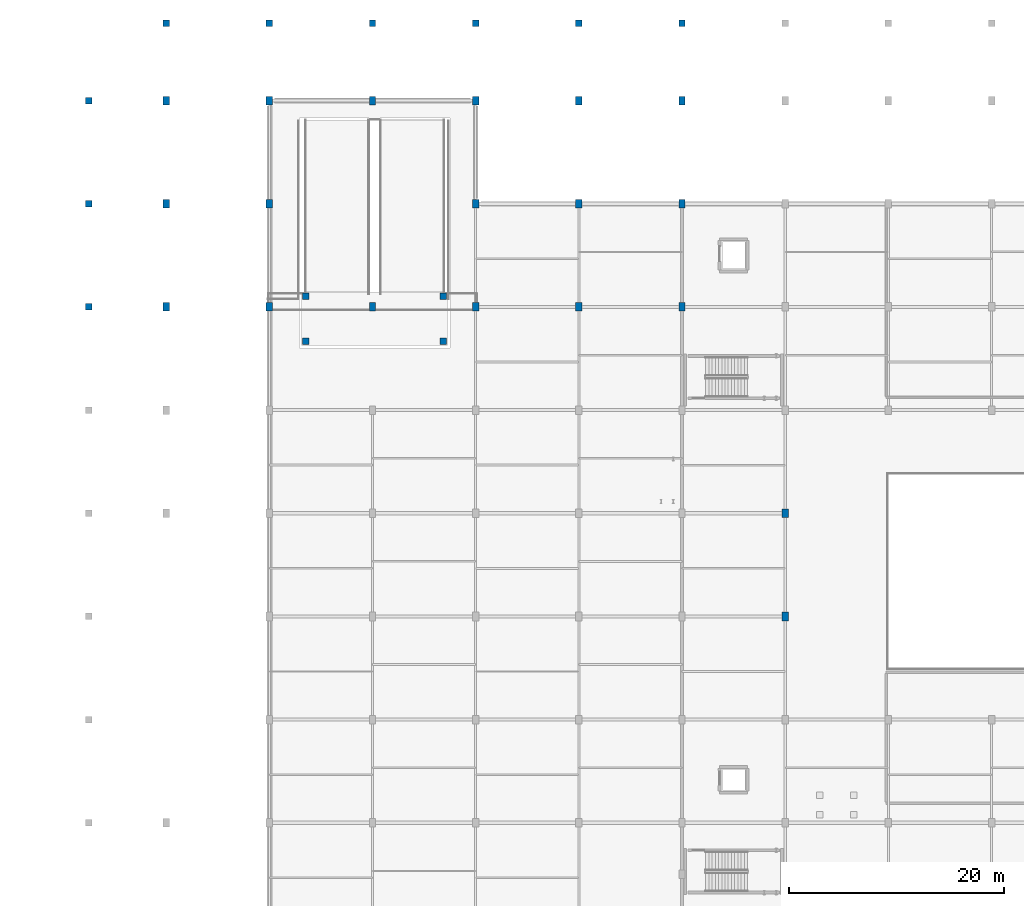
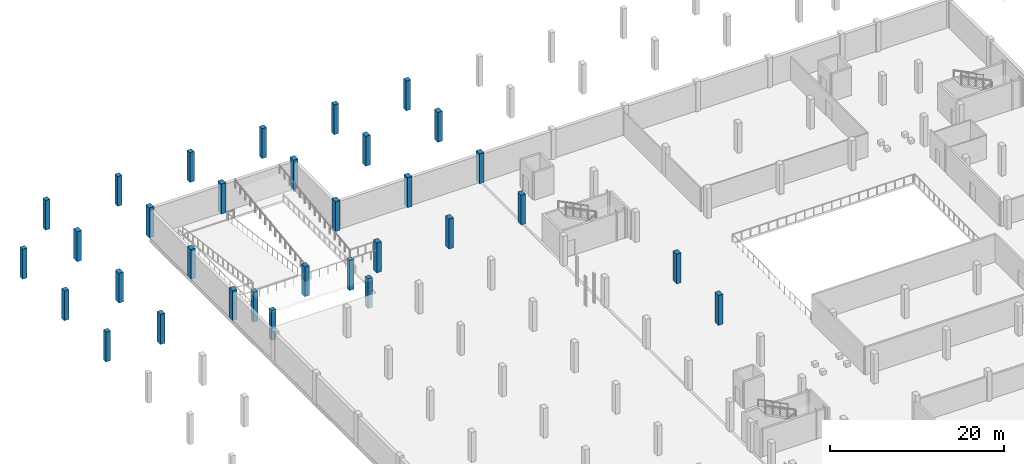
# One storey, part 12 of 47: 32 columns.
"""IFC4 building model written with IfcOpenShell, lengths in metres."""

from ifc_helpers import new_model, si_unit, direction, frame, origin, origin_2d, place, context, subcontext, project, spatial, rectangle, extrude, material, material_profile, profile_set, type_object, element, save


model = new_model("IFC4")

# Units and contexts
model_context = context("Model", 3, precision=1e-05, world=origin(), true_north=direction((0.0, 1.0)))
body_context = subcontext(model_context, "Body", "Model", "MODEL_VIEW")
ifc_project = project(units=[si_unit("LENGTHUNIT", "METRE"), si_unit("AREAUNIT", "SQUARE_METRE"), si_unit("VOLUMEUNIT", "CUBIC_METRE"), si_unit("PLANEANGLEUNIT", "RADIAN"), si_unit("MASSUNIT", "GRAM", prefix="KILO")], contexts=[model_context])

# Site, building, storey
site_placement = place(None, origin())
site = spatial("IfcSite", under=ifc_project, at=site_placement, CompositionType="ELEMENT")
building_placement = place(site_placement, origin())
building = spatial("IfcBuilding", under=site, at=building_placement, Name="Zevrakil Square Congress Hotel", CompositionType="ELEMENT")
storey_placement = place(building_placement, frame((0.0, 0.0, -4.199951171875)))
storey = spatial("IfcBuildingStorey", under=building, at=storey_placement, Name="B1", CompositionType="ELEMENT", Elevation=-4.199951171875)

# Columns
ifc_material_1 = material(Name="Concrete C40/50", Category="concrete")
ifc_material_profile_1 = material_profile(ifc_material_1, rectangle(XDim=0.60009765625, YDim=0.60009765625, at=origin_2d()), Name="RC 600x600")
ifc_profile_set_1 = profile_set([ifc_material_profile_1], Name="Concrete C40/50")
column_type_1 = type_object("IfcColumnType", Name="COL-RC600", PredefinedType="COLUMN", material=ifc_profile_set_1)
for number, where, z_axis, x_axis, name in (
    (1, (0.0, 93.60009765625, 0.0), (0.0, 0.0, 1.0), (1.0, 0.0, 0.0), "B1 column C-011"),
    (2, (0.0, 103.199951171875, 0.0), (0.0, 0.0, 1.0), (1.0, 0.0, 0.0), "B1 column C-012"),
    (3, (0.0, 112.800048828125, 0.0), (0.0, 0.0, 1.0), (1.0, 0.0, 0.0), "B1 column C-013"),
    (4, (7.199951171875, 120.0, 0.0), (0.0, 0.0, 1.0), (1.0, 0.0, 0.0), "B1 column C-025"),
    (5, (16.800048828125, 120.0, 0.0), (0.0, 0.0, 1.0), (1.0, 0.0, 0.0), "B1 column C-039"),
    (6, (26.39990234375, 120.0, 0.0), (0.0, 0.0, 1.0), (1.0, 0.0, 0.0), "B1 column C-052"),
    (7, (36.0, 120.0, 0.0), (0.0, 0.0, 1.0), (1.0, 0.0, 0.0), "B1 column C-066"),
    (8, (45.60009765625, 120.0, 0.0), (0.0, 0.0, 1.0), (1.0, 0.0, 0.0), "B1 column C-080"),
    (9, (55.199951171875, 120.0, 0.0), (0.0, 0.0, 1.0), (1.0, 0.0, 0.0), "B1 column C-098"),
    (10, (20.199951171875, 90.39990234375, -2.10009765625), (0.0, 0.0, 1.0), (1.0, 0.0, 0.0), "B1 vehicle ramp landing support column VRC-1"),
    (11, (33.0, 90.39990234375, -2.10009765625), (0.0, 0.0, 1.0), (1.0, 0.0, 0.0), "B1 vehicle ramp landing support column VRC-2"),
    (12, (20.199951171875, 94.60009765625, -2.10009765625), (0.0, 0.0, 1.0), (1.0, 0.0, 0.0), "B1 vehicle ramp landing support column VRC-3"),
    (13, (33.0, 94.60009765625, -2.10009765625), (0.0, 0.0, 1.0), (1.0, 0.0, 0.0), "B1 vehicle ramp landing support column VRC-4"),
):
    element("IfcColumn", number, at=place(storey_placement, frame(where, z_axis=z_axis, x_axis=x_axis)), inside=storey, type_object=column_type_1, Name=name, PredefinedType="COLUMN", context=body_context, shape_type="SweptSolid", body=[
        extrude(rectangle(XDim=0.60009765625, YDim=0.60009765625, at=origin_2d()), origin(), (0.0, 0.0, 1.0), 4.199951171875),
    ])
ifc_material_2 = material(Name="Concrete C40/50", Category="concrete")
ifc_material_profile_2 = material_profile(ifc_material_2, rectangle(XDim=0.60009765625, YDim=0.800048828125, at=origin_2d()), Name="RC 600x800")
ifc_profile_set_2 = profile_set([ifc_material_profile_2], Name="Concrete C40/50")
column_type_2 = type_object("IfcColumnType", Name="COL-RC600x800", PredefinedType="COLUMN", material=ifc_profile_set_2)
for number, where, z_axis, x_axis, name in (
    (14, (7.199951171875, 93.60009765625, 0.0), (0.0, 0.0, 1.0), (1.0, 0.0, 0.0), "B1 column C-022"),
    (15, (7.199951171875, 103.199951171875, 0.0), (0.0, 0.0, 1.0), (1.0, 0.0, 0.0), "B1 column C-023"),
    (16, (7.199951171875, 112.800048828125, 0.0), (0.0, 0.0, 1.0), (1.0, 0.0, 0.0), "B1 column C-024"),
    (17, (16.800048828125, 93.60009765625, 0.0), (0.0, 0.0, 1.0), (1.0, 0.0, 0.0), "B1 column C-036"),
    (18, (16.800048828125, 103.199951171875, 0.0), (0.0, 0.0, 1.0), (1.0, 0.0, 0.0), "B1 column C-037"),
    (19, (16.800048828125, 112.800048828125, 0.0), (0.0, 0.0, 1.0), (1.0, 0.0, 0.0), "B1 column C-038"),
    (20, (26.39990234375, 93.60009765625, 0.0), (0.0, 0.0, 1.0), (1.0, 0.0, 0.0), "B1 column C-050"),
    (21, (26.39990234375, 112.800048828125, 0.0), (0.0, 0.0, 1.0), (1.0, 0.0, 0.0), "B1 column C-051"),
    (22, (36.0, 93.60009765625, 0.0), (0.0, 0.0, 1.0), (1.0, 0.0, 0.0), "B1 column C-063"),
    (23, (36.0, 103.199951171875, 0.0), (0.0, 0.0, 1.0), (1.0, 0.0, 0.0), "B1 column C-064"),
    (24, (36.0, 112.800048828125, 0.0), (0.0, 0.0, 1.0), (1.0, 0.0, 0.0), "B1 column C-065"),
    (25, (45.60009765625, 93.60009765625, 0.0), (0.0, 0.0, 1.0), (1.0, 0.0, 0.0), "B1 column C-077"),
    (26, (45.60009765625, 103.199951171875, 0.0), (0.0, 0.0, 1.0), (1.0, 0.0, 0.0), "B1 column C-078"),
    (27, (45.60009765625, 112.800048828125, 0.0), (0.0, 0.0, 1.0), (1.0, 0.0, 0.0), "B1 column C-079"),
    (28, (55.199951171875, 93.60009765625, 0.0), (0.0, 0.0, 1.0), (1.0, 0.0, 0.0), "B1 column C-095"),
    (29, (55.199951171875, 103.199951171875, 0.0), (0.0, 0.0, 1.0), (1.0, 0.0, 0.0), "B1 column C-096"),
    (30, (55.199951171875, 112.800048828125, 0.0), (0.0, 0.0, 1.0), (1.0, 0.0, 0.0), "B1 column C-097"),
    (31, (64.800048828125, 64.800048828125, 0.0), (0.0, 0.0, 1.0), (1.0, 0.0, 0.0), "B1 column C-106"),
    (32, (64.800048828125, 74.39990234375, 0.0), (0.0, 0.0, 1.0), (1.0, 0.0, 0.0), "B1 column C-107"),
):
    element("IfcColumn", number, at=place(storey_placement, frame(where, z_axis=z_axis, x_axis=x_axis)), inside=storey, type_object=column_type_2, Name=name, PredefinedType="COLUMN", context=body_context, shape_type="SweptSolid", body=[
        extrude(rectangle(XDim=0.60009765625, YDim=0.800048828125, at=origin_2d()), origin(), (0.0, 0.0, 1.0), 4.199951171875),
    ])

save(model, "model.ifc")
